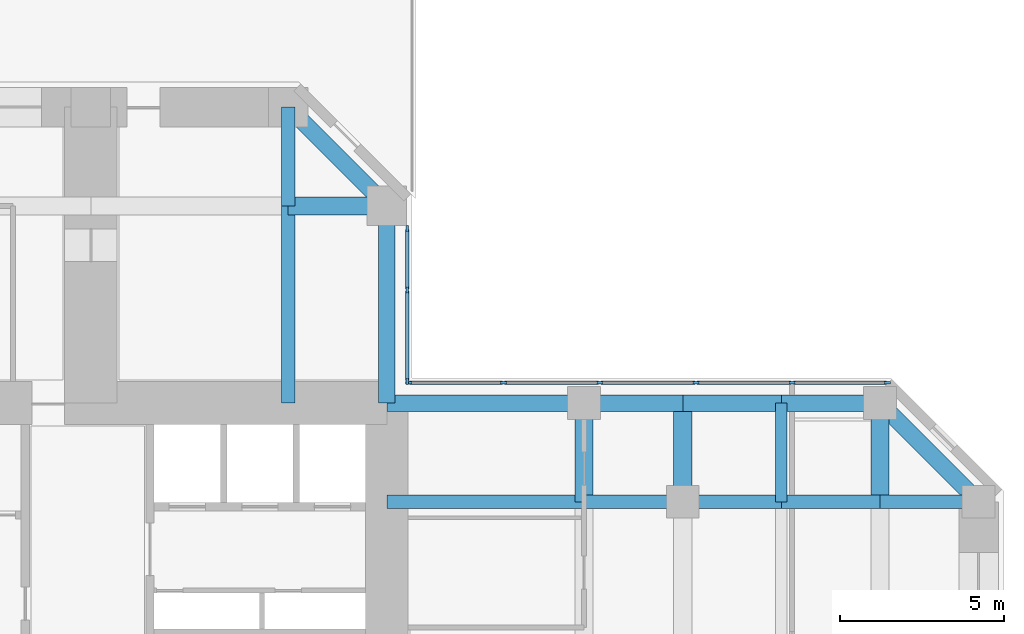
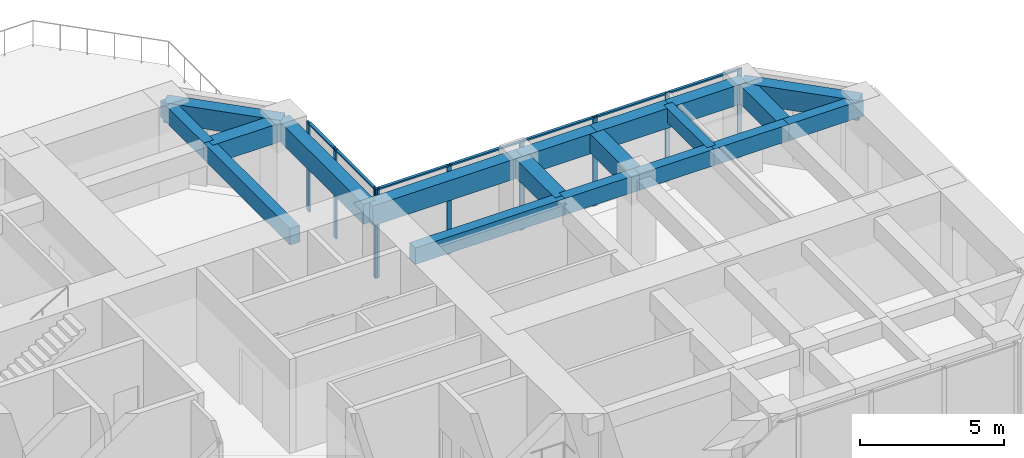
# One storey, part 6 of 12: 19 beams, 16 members, 2 elements without a shape of their own.
"""IFC4 building model written with IfcOpenShell, lengths in metres."""

from ifc_helpers import new_model, si_unit, direction, frame, origin, origin_2d, place, context, subcontext, project, spatial, rectangle, extrude, material, material_profile, profile_set, type_object, element, aggregate, save


model = new_model("IFC4")

# Units and contexts
model_context = context("Model", 3, precision=1e-05, world=origin(), true_north=direction((0.0, 1.0)))
body_context = subcontext(model_context, "Body", "Model", "MODEL_VIEW")
ifc_project = project(units=[si_unit("LENGTHUNIT", "METRE"), si_unit("AREAUNIT", "SQUARE_METRE"), si_unit("VOLUMEUNIT", "CUBIC_METRE"), si_unit("PLANEANGLEUNIT", "RADIAN"), si_unit("MASSUNIT", "GRAM", prefix="KILO")], contexts=[model_context])

# Site, building, storey
site_placement = place(None, origin())
site = spatial("IfcSite", under=ifc_project, at=site_placement, CompositionType="ELEMENT")
building_placement = place(site_placement, origin())
building = spatial("IfcBuilding", under=site, at=building_placement, Name="Torre Cruceta", CompositionType="ELEMENT")
storey_placement = place(building_placement, frame((0.0, 0.0, 100.5)))
storey = spatial("IfcBuildingStorey", under=building, at=storey_placement, Name="L24", CompositionType="ELEMENT", Elevation=100.5)

# Beams
ifc_material_1 = material(Name="Concrete G60 (fck 60 MPa)", Category="concrete")
ifc_material_profile_1 = material_profile(ifc_material_1, rectangle(XDim=0.39990234375, YDim=0.699951171875, at=origin_2d()), Name="RC 400X700")
ifc_profile_set_1 = profile_set([ifc_material_profile_1], Name="Concrete G60 (fck 60 MPa)")
beam_type_1 = type_object("IfcBeamType", Name="COLUMN LINE BEAM RC 400X700", PredefinedType="BEAM", material=ifc_profile_set_1)
beam_1_placement = place(storey_placement, frame((6.0, 9.0, 3.449951171875), z_axis=(0.0, 1.0, 0.0), x_axis=(-1.0, 0.0, 0.0)))
element("IfcBeam", 1, at=beam_1_placement, inside=storey, type_object=beam_type_1, Name="LB5 L24 N col- 1", PredefinedType="BEAM", context=body_context, shape_type="SweptSolid", body=[
    extrude(rectangle(XDim=0.39990234375, YDim=0.699951171875, at=origin_2d()), origin(), (0.0, 0.0, 1.0), 6.0),
])
beam_2_placement = place(storey_placement, frame((6.0, 15.0, 3.449951171875), z_axis=(0.0, 1.0, 0.0), x_axis=(-1.0, 0.0, 0.0)))
element("IfcBeam", 2, at=beam_2_placement, inside=storey, type_object=beam_type_1, Name="LB5 L24 N col- 2", PredefinedType="BEAM", context=body_context, shape_type="SweptSolid", body=[
    extrude(rectangle(XDim=0.39990234375, YDim=0.699951171875, at=origin_2d()), origin(), (0.0, 0.0, 1.0), 3.0),
])
beam_3_placement = place(storey_placement, frame((9.0, 6.0, 3.449951171875), z_axis=(1.0, 0.0, 0.0), x_axis=(0.0, 1.0, 0.0)))
element("IfcBeam", 3, at=beam_3_placement, inside=storey, type_object=beam_type_1, Name="LB5 L24 E col+ 1", PredefinedType="BEAM", context=body_context, shape_type="SweptSolid", body=[
    extrude(rectangle(XDim=0.39990234375, YDim=0.699951171875, at=origin_2d()), origin(), (0.0, 0.0, 1.0), 6.0),
])
for number, where, z_axis, x_axis, name in (
    (4, (15.0, 6.0, 3.449951171875), (1.0, 0.0, 0.0), (0.0, 1.0, 0.0), "LB5 L24 E col+ 2"),
    (5, (18.0, 6.0, 3.449951171875), (1.0, 0.0, 0.0), (0.0, 1.0, 0.0), "LB5 L24 E col+ 3"),
    (6, (21.0, 6.0, 3.449951171875), (1.0, 0.0, 0.0), (0.0, 1.0, 0.0), "LB5 L24 E col+ 4"),
    (7, (24.0, 6.0, 3.449951171875), (1.0, 0.0, 0.0), (0.0, 1.0, 0.0), "LB5 L24 E col+ 5"),
):
    element("IfcBeam", number, at=place(storey_placement, frame(where, z_axis=z_axis, x_axis=x_axis)), inside=storey, type_object=beam_type_1, Name=name, PredefinedType="BEAM", context=body_context, shape_type="SweptSolid", body=[
        extrude(rectangle(XDim=0.39990234375, YDim=0.699951171875, at=origin_2d()), origin(), (0.0, 0.0, 1.0), 3.0),
    ])
ifc_material_2 = material(Name="Concrete G60 (fck 60 MPa)", Category="concrete")
ifc_material_profile_2 = material_profile(ifc_material_2, rectangle(XDim=0.550048828125, YDim=0.800048828125, at=origin_2d()), Name="RC 550X800")
ifc_profile_set_2 = profile_set([ifc_material_profile_2], Name="Concrete G60 (fck 60 MPa)")
beam_type_2 = type_object("IfcBeamType", Name="CROSS BEAM RC 550X800", PredefinedType="BEAM", material=ifc_profile_set_2)
for number, where, z_axis, x_axis, name in (
    (8, (9.0, 15.0, 3.39990234375), (-1.0, 0.0, 0.0), (0.0, -1.0, 0.0), "GB5 L24 N cross15 1"),
    (9, (15.0, 6.0, 3.39990234375), (0.0, 1.0, 0.0), (-1.0, 0.0, 0.0), "GB5 L24 E cross15 4"),
    (10, (18.0, 6.0, 3.39990234375), (0.0, 1.0, 0.0), (-1.0, 0.0, 0.0), "GB5 L24 E cross18 4"),
    (11, (24.0, 6.0, 3.39990234375), (0.0, 1.0, 0.0), (-1.0, 0.0, 0.0), "GB5 L24 E cross24 4"),
):
    element("IfcBeam", number, at=place(storey_placement, frame(where, z_axis=z_axis, x_axis=x_axis)), inside=storey, type_object=beam_type_2, Name=name, PredefinedType="BEAM", context=body_context, shape_type="SweptSolid", body=[
        extrude(rectangle(XDim=0.550048828125, YDim=0.800048828125, at=origin_2d()), origin(), (0.0, 0.0, 1.0), 3.0),
    ])

# Curtain wall, members
ifc_material_3 = material(Name="Aluminium unitised curtain wall", Category="aluminium")
curtain_wall_type = type_object("IfcCurtainWallType", Name="CURTAIN WALL CW-B OFFICE MID RISE", PredefinedType="USERDEFINED", material=ifc_material_3)
curtain_wall_1_placement = place(storey_placement, origin())
curtain_wall_1 = element("IfcCurtainWall", 12, at=curtain_wall_1_placement, inside=storey, type_object=curtain_wall_type, Name="CW-B L24 E side 04", ObjectType="UNITISED", PredefinedType="USERDEFINED")
ifc_material_4 = material(Name="Aluminium mullion", Category="aluminium")
ifc_material_profile_3 = material_profile(ifc_material_4, rectangle(XDim=0.06494140625, YDim=0.179931640625, at=origin_2d()), Name="AL 65X180")
ifc_profile_set_3 = profile_set([ifc_material_profile_3], Name="Aluminium mullion")
member_type_1 = type_object("IfcMemberType", Name="CW-B MULLION 65X180", PredefinedType="MULLION", material=ifc_profile_set_3)
member_1_placement = place(storey_placement, frame((24.224365234375, 9.6201171875, 0.0), z_axis=(0.0, 0.0, 1.0), x_axis=(0.0, -1.0, 0.0)))
member_1 = element("IfcMember", 13, at=member_1_placement, type_object=member_type_1, Name="CW-B mullion 1", PredefinedType="MULLION", context=body_context, shape_type="SweptSolid", body=[
    extrude(rectangle(XDim=0.06494140625, YDim=0.179931640625, at=origin_2d()), origin(), (0.0, 0.0, 1.0), 3.800048828125),
])
member_2_placement = place(storey_placement, frame((21.329345703125, 9.6201171875, 0.0), z_axis=(0.0, 0.0, 1.0), x_axis=(0.0, -1.0, 0.0)))
member_2 = element("IfcMember", 14, at=member_2_placement, type_object=member_type_1, Name="CW-B mullion 2", PredefinedType="MULLION", context=body_context, shape_type="SweptSolid", body=[
    extrude(rectangle(XDim=0.06494140625, YDim=0.179931640625, at=origin_2d()), origin(), (0.0, 0.0, 1.0), 3.800048828125),
])
member_3_placement = place(storey_placement, frame((18.402099609375, 9.6201171875, 0.0), z_axis=(0.0, 0.0, 1.0), x_axis=(0.0, -1.0, 0.0)))
member_3 = element("IfcMember", 15, at=member_3_placement, type_object=member_type_1, Name="CW-B mullion 3", PredefinedType="MULLION", context=body_context, shape_type="SweptSolid", body=[
    extrude(rectangle(XDim=0.06494140625, YDim=0.179931640625, at=origin_2d()), origin(), (0.0, 0.0, 1.0), 3.800048828125),
])
member_4_placement = place(storey_placement, frame((15.474609375, 9.6201171875, 0.0), z_axis=(0.0, 0.0, 1.0), x_axis=(0.0, -1.0, 0.0)))
member_4 = element("IfcMember", 16, at=member_4_placement, type_object=member_type_1, Name="CW-B mullion 4", PredefinedType="MULLION", context=body_context, shape_type="SweptSolid", body=[
    extrude(rectangle(XDim=0.06494140625, YDim=0.179931640625, at=origin_2d()), origin(), (0.0, 0.0, 1.0), 3.800048828125),
])
member_5_placement = place(storey_placement, frame((12.54736328125, 9.6201171875, 0.0), z_axis=(0.0, 0.0, 1.0), x_axis=(0.0, -1.0, 0.0)))
member_5 = element("IfcMember", 17, at=member_5_placement, type_object=member_type_1, Name="CW-B mullion 5", PredefinedType="MULLION", context=body_context, shape_type="SweptSolid", body=[
    extrude(rectangle(XDim=0.06494140625, YDim=0.179931640625, at=origin_2d()), origin(), (0.0, 0.0, 1.0), 3.800048828125),
])
member_6_placement = place(storey_placement, frame((9.652587890625, 9.6201171875, 0.0), z_axis=(0.0, 0.0, 1.0), x_axis=(0.0, -1.0, 0.0)))
member_6 = element("IfcMember", 18, at=member_6_placement, type_object=member_type_1, Name="CW-B mullion 6", PredefinedType="MULLION", context=body_context, shape_type="SweptSolid", body=[
    extrude(rectangle(XDim=0.06494140625, YDim=0.179931640625, at=origin_2d()), origin(), (0.0, 0.0, 1.0), 3.800048828125),
])

curtain_wall_2_placement = place(storey_placement, origin())
curtain_wall_2 = element("IfcCurtainWall", 19, at=curtain_wall_2_placement, inside=storey, type_object=curtain_wall_type, Name="CW-B L24 N side 05", ObjectType="UNITISED", PredefinedType="USERDEFINED")
member_7_placement = place(storey_placement, frame((9.6201171875, 9.652587890625, 0.0), z_axis=(0.0, 0.0, 1.0), x_axis=(-1.0, 0.0, 0.0)))
member_7 = element("IfcMember", 20, at=member_7_placement, type_object=member_type_1, Name="CW-B mullion 1", PredefinedType="MULLION", context=body_context, shape_type="SweptSolid", body=[
    extrude(rectangle(XDim=0.06494140625, YDim=0.179931640625, at=origin_2d()), origin(), (0.0, 0.0, 1.0), 3.800048828125),
])
member_8_placement = place(storey_placement, frame((9.6201171875, 12.4384765625, 0.0), z_axis=(0.0, 0.0, 1.0), x_axis=(-1.0, 0.0, 0.0)))
member_8 = element("IfcMember", 21, at=member_8_placement, type_object=member_type_1, Name="CW-B mullion 2", PredefinedType="MULLION", context=body_context, shape_type="SweptSolid", body=[
    extrude(rectangle(XDim=0.06494140625, YDim=0.179931640625, at=origin_2d()), origin(), (0.0, 0.0, 1.0), 3.800048828125),
])
member_9_placement = place(storey_placement, frame((9.6201171875, 14.30908203125, 0.0), z_axis=(0.0, 0.0, 1.0), x_axis=(-1.0, 0.0, 0.0)))
member_9 = element("IfcMember", 22, at=member_9_placement, type_object=member_type_1, Name="CW-B mullion 3", PredefinedType="MULLION", context=body_context, shape_type="SweptSolid", body=[
    extrude(rectangle(XDim=0.06494140625, YDim=0.179931640625, at=origin_2d()), origin(), (0.0, 0.0, 1.0), 3.800048828125),
])

# Member
ifc_material_5 = material(Name="Aluminium transom", Category="aluminium")
ifc_material_profile_4 = material_profile(ifc_material_5, rectangle(XDim=0.110107421875, YDim=0.06494140625, at=origin_2d()), Name="AL 110X65")
ifc_profile_set_4 = profile_set([ifc_material_profile_4], Name="Aluminium transom")
member_type_2 = type_object("IfcMemberType", Name="CW-B TRANSOM 65X110", PredefinedType="USERDEFINED", material=ifc_profile_set_4)
member_10_placement = place(storey_placement, frame((24.19189453125, 9.6201171875, 3.767578125), z_axis=(-1.0, 0.0, 0.0), x_axis=(0.0, -1.0, 0.0)))
member_10 = element("IfcMember", 23, at=member_10_placement, type_object=member_type_2, Name="CW-B transom 1", ObjectType="TRANSOM", PredefinedType="USERDEFINED", context=body_context, shape_type="SweptSolid", body=[
    extrude(rectangle(XDim=0.110107421875, YDim=0.06494140625, at=origin_2d()), origin(), (0.0, 0.0, 1.0), 2.829833984375),
])

member_11_placement = place(storey_placement, frame((21.296875, 9.6201171875, 3.767578125), z_axis=(-1.0, 0.0, 0.0), x_axis=(0.0, -1.0, 0.0)))
member_11 = element("IfcMember", 24, at=member_11_placement, type_object=member_type_2, Name="CW-B transom 2", ObjectType="TRANSOM", PredefinedType="USERDEFINED", context=body_context, shape_type="SweptSolid", body=[
    extrude(rectangle(XDim=0.110107421875, YDim=0.06494140625, at=origin_2d()), origin(), (0.0, 0.0, 1.0), 2.8623046875),
])

member_12_placement = place(storey_placement, frame((18.36962890625, 9.6201171875, 3.767578125), z_axis=(-1.0, 0.0, 0.0), x_axis=(0.0, -1.0, 0.0)))
member_12 = element("IfcMember", 25, at=member_12_placement, type_object=member_type_2, Name="CW-B transom 3", ObjectType="TRANSOM", PredefinedType="USERDEFINED", context=body_context, shape_type="SweptSolid", body=[
    extrude(rectangle(XDim=0.110107421875, YDim=0.06494140625, at=origin_2d()), origin(), (0.0, 0.0, 1.0), 2.8623046875),
])

member_13_placement = place(storey_placement, frame((15.442138671875, 9.6201171875, 3.767578125), z_axis=(-1.0, 0.0, 0.0), x_axis=(0.0, -1.0, 0.0)))
member_13 = element("IfcMember", 26, at=member_13_placement, type_object=member_type_2, Name="CW-B transom 4", ObjectType="TRANSOM", PredefinedType="USERDEFINED", context=body_context, shape_type="SweptSolid", body=[
    extrude(rectangle(XDim=0.110107421875, YDim=0.06494140625, at=origin_2d()), origin(), (0.0, 0.0, 1.0), 2.8623046875),
])

member_14_placement = place(storey_placement, frame((12.514892578125, 9.6201171875, 3.767578125), z_axis=(-1.0, 0.0, 0.0), x_axis=(0.0, -1.0, 0.0)))
member_14 = element("IfcMember", 27, at=member_14_placement, type_object=member_type_2, Name="CW-B transom 5", ObjectType="TRANSOM", PredefinedType="USERDEFINED", context=body_context, shape_type="SweptSolid", body=[
    extrude(rectangle(XDim=0.110107421875, YDim=0.06494140625, at=origin_2d()), origin(), (0.0, 0.0, 1.0), 2.829833984375),
])

aggregate(curtain_wall_1, [member_1, member_2, member_3, member_4, member_5, member_6, member_10, member_11, member_12, member_13, member_14])

member_15_placement = place(storey_placement, frame((9.6201171875, 9.68505859375, 3.767578125), z_axis=(0.0, 1.0, 0.0), x_axis=(-1.0, 0.0, 0.0)))
member_15 = element("IfcMember", 28, at=member_15_placement, type_object=member_type_2, Name="CW-B transom 1", ObjectType="TRANSOM", PredefinedType="USERDEFINED", context=body_context, shape_type="SweptSolid", body=[
    extrude(rectangle(XDim=0.110107421875, YDim=0.06494140625, at=origin_2d()), origin(), (0.0, 0.0, 1.0), 2.720947265625),
])

member_16_placement = place(storey_placement, frame((9.6201171875, 12.470947265625, 3.767578125), z_axis=(0.0, 1.0, 0.0), x_axis=(-1.0, 0.0, 0.0)))
member_16 = element("IfcMember", 29, at=member_16_placement, type_object=member_type_2, Name="CW-B transom 2", ObjectType="TRANSOM", PredefinedType="USERDEFINED", context=body_context, shape_type="SweptSolid", body=[
    extrude(rectangle(XDim=0.110107421875, YDim=0.06494140625, at=origin_2d()), origin(), (0.0, 0.0, 1.0), 1.8056640625),
])

aggregate(curtain_wall_2, [member_7, member_8, member_9, member_15, member_16])

# Beams
ifc_material_6 = material(Name="Concrete G60 (fck 60 MPa)", Category="concrete")
ifc_material_profile_5 = material_profile(ifc_material_6, rectangle(XDim=0.35009765625, YDim=0.60009765625, at=origin_2d()), Name="RC 350X600")
ifc_profile_set_5 = profile_set([ifc_material_profile_5], Name="Concrete G60 (fck 60 MPa)")
beam_type_3 = type_object("IfcBeamType", Name="SECONDARY BEAM RC 350X600", PredefinedType="JOIST", material=ifc_profile_set_5)
beam_4_placement = place(storey_placement, frame((21.0, 6.0, 3.5), z_axis=(0.0, 1.0, 0.0), x_axis=(-1.0, 0.0, 0.0)))
element("IfcBeam", 30, at=beam_4_placement, inside=storey, type_object=beam_type_3, Name="JB5 L24 E sec21 4", PredefinedType="JOIST", context=body_context, shape_type="SweptSolid", body=[
    extrude(rectangle(XDim=0.35009765625, YDim=0.60009765625, at=origin_2d()), origin(), (0.0, 0.0, 1.0), 3.0),
])
ifc_material_7 = material(Name="Concrete G60 (fck 60 MPa)", Category="concrete")
ifc_material_profile_6 = material_profile(ifc_material_7, rectangle(XDim=0.5, YDim=0.85009765625, at=origin_2d()), Name="RC 500X850")
ifc_profile_set_6 = profile_set([ifc_material_profile_6], Name="Concrete G60 (fck 60 MPa)")
beam_type_4 = type_object("IfcBeamType", Name="SPANDREL BEAM RC 500X850", PredefinedType="SPANDREL", material=ifc_profile_set_6)
beam_5_placement = place(storey_placement, frame((9.0, 9.0, 3.375), z_axis=(0.0, 1.0, 0.0), x_axis=(-1.0, 0.0, 0.0)))
element("IfcBeam", 31, at=beam_5_placement, inside=storey, type_object=beam_type_4, Name="SB5 L24 N side- 1", PredefinedType="SPANDREL", context=body_context, shape_type="SweptSolid", body=[
    extrude(rectangle(XDim=0.5, YDim=0.85009765625, at=origin_2d()), origin(), (0.0, 0.0, 1.0), 6.0),
])
beam_6_placement = place(storey_placement, frame((9.0, 15.0, 3.375), z_axis=(-0.707106781187, 0.707106781187, 0.0), x_axis=(-0.707106781187, -0.707106781187, 0.0)))
element("IfcBeam", 32, at=beam_6_placement, inside=storey, type_object=beam_type_4, Name="SB5 L24 N side- 2", PredefinedType="SPANDREL", context=body_context, shape_type="SweptSolid", body=[
    extrude(rectangle(XDim=0.5, YDim=0.85009765625, at=origin_2d()), origin(), (0.0, 0.0, 1.0), 4.24267578125),
])
beam_7_placement = place(storey_placement, frame((9.0, 9.0, 3.375), z_axis=(1.0, 0.0, 0.0), x_axis=(0.0, 1.0, 0.0)))
element("IfcBeam", 33, at=beam_7_placement, inside=storey, type_object=beam_type_4, Name="SB5 L24 E side+ 1", PredefinedType="SPANDREL", context=body_context, shape_type="SweptSolid", body=[
    extrude(rectangle(XDim=0.5, YDim=0.85009765625, at=origin_2d()), origin(), (0.0, 0.0, 1.0), 6.0),
])
for number, where, z_axis, x_axis, name in (
    (34, (15.0, 9.0, 3.375), (1.0, 0.0, 0.0), (0.0, 1.0, 0.0), "SB5 L24 E side+ 2"),
    (35, (18.0, 9.0, 3.375), (1.0, 0.0, 0.0), (0.0, 1.0, 0.0), "SB5 L24 E side+ 3"),
    (36, (21.0, 9.0, 3.375), (1.0, 0.0, 0.0), (0.0, 1.0, 0.0), "SB5 L24 E side+ 4"),
):
    element("IfcBeam", number, at=place(storey_placement, frame(where, z_axis=z_axis, x_axis=x_axis)), inside=storey, type_object=beam_type_4, Name=name, PredefinedType="SPANDREL", context=body_context, shape_type="SweptSolid", body=[
        extrude(rectangle(XDim=0.5, YDim=0.85009765625, at=origin_2d()), origin(), (0.0, 0.0, 1.0), 3.0),
    ])
beam_8_placement = place(storey_placement, frame((24.0, 9.0, 3.375), z_axis=(0.707106781187, -0.707106781187, 0.0), x_axis=(0.707106781187, 0.707106781187, 0.0)))
element("IfcBeam", 37, at=beam_8_placement, inside=storey, type_object=beam_type_4, Name="SB5 L24 E side+ 5", PredefinedType="SPANDREL", context=body_context, shape_type="SweptSolid", body=[
    extrude(rectangle(XDim=0.5, YDim=0.85009765625, at=origin_2d()), origin(), (0.0, 0.0, 1.0), 4.24267578125),
])

save(model, "model.ifc")
